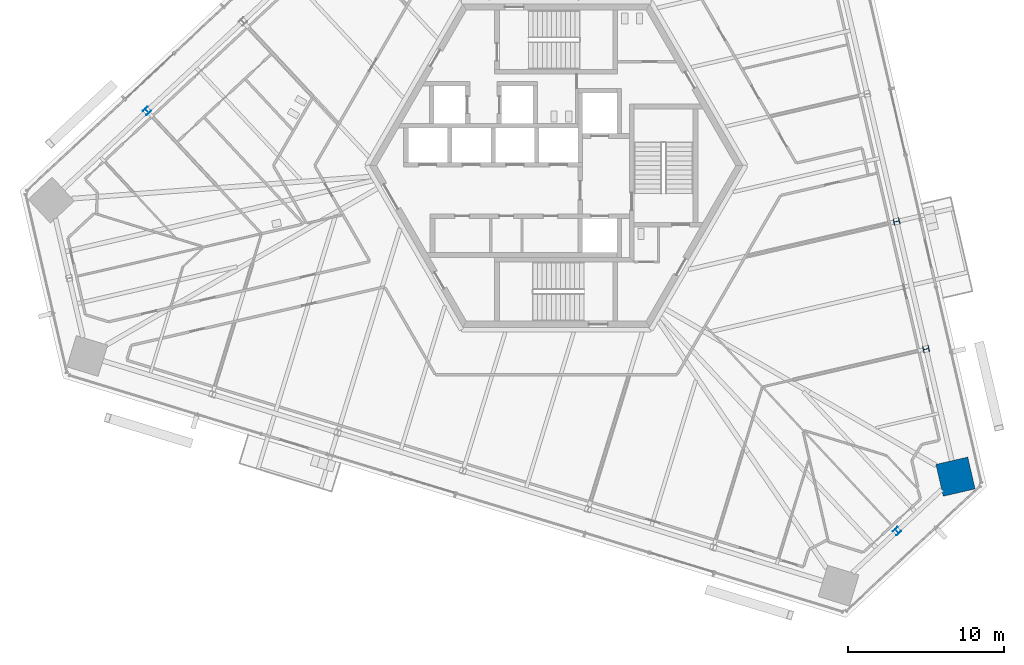
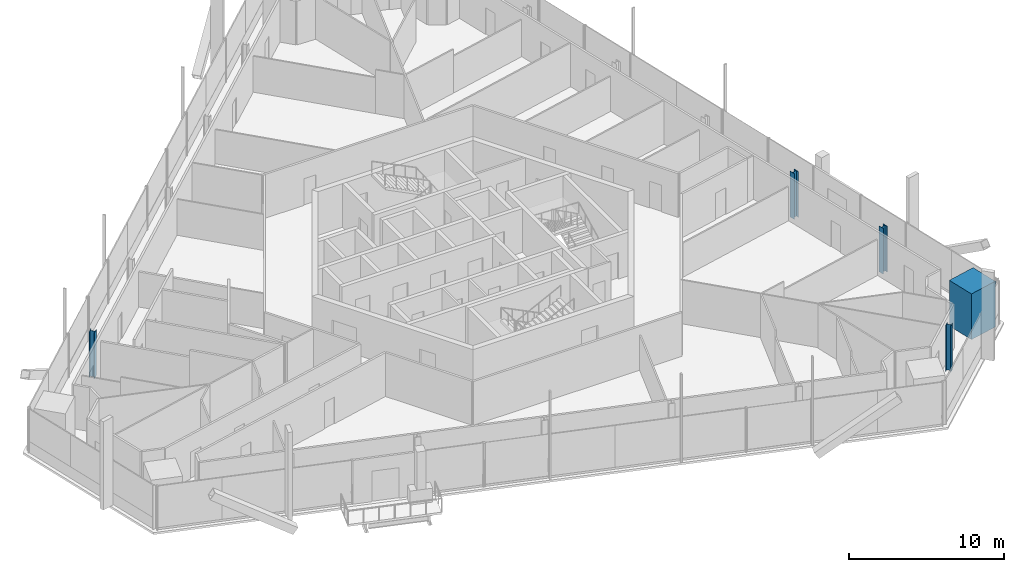
# One storey, part 2 of 24: 5 columns.
"""IFC4 building model written with IfcOpenShell, lengths in metres."""

from ifc_helpers import new_model, si_unit, direction, frame, origin, origin_2d, place, context, subcontext, project, spatial, rectangle, i_section, extrude, source, transform, mapped, material, material_profile, profile_set, type_object, element, save


model = new_model("IFC4")

# Units and contexts
model_context = context("Model", 3, precision=1e-05, world=origin(), true_north=direction((0.0, 1.0)))
body_context = subcontext(model_context, "Body", "Model", "MODEL_VIEW")
ifc_project = project(units=[si_unit("LENGTHUNIT", "METRE"), si_unit("AREAUNIT", "SQUARE_METRE"), si_unit("VOLUMEUNIT", "CUBIC_METRE"), si_unit("PLANEANGLEUNIT", "RADIAN"), si_unit("MASSUNIT", "GRAM", prefix="KILO")], contexts=[model_context])

# Site, building, storey
site_placement = place(None, origin())
site = spatial("IfcSite", under=ifc_project, at=site_placement, CompositionType="ELEMENT")
building_placement = place(site_placement, origin())
building = spatial("IfcBuilding", under=site, at=building_placement, Name="Triune Harvest Tower", CompositionType="ELEMENT")
storey_placement = place(building_placement, frame((0.0, 0.0, 127.10009765625)))
storey = spatial("IfcBuildingStorey", under=building, at=storey_placement, Name="L32", CompositionType="ELEMENT", Elevation=127.10009765625)

# Columns
ifc_material_1 = material(Name="Concrete 70 MPa", Category="concrete")
ifc_material_profile_1 = material_profile(ifc_material_1, rectangle(XDim=2.10009765625, YDim=2.10009765625, at=origin_2d()), Name="Composite 2100x2100")
ifc_profile_set_1 = profile_set([ifc_material_profile_1], Name="Concrete 70 MPa")
column_type_1 = type_object("IfcColumnType", Name="MC-3 Mega column Composite 2100x2100", PredefinedType="COLUMN", material=ifc_profile_set_1)
shared_shape_1 = source(origin(), body_context, "Body", "SweptSolid", [
    extrude(rectangle(XDim=2.10009765625, YDim=2.10009765625, at=origin_2d()), origin(), (0.0, 0.0, 1.0), 3.599853515625),
])
column_placement = place(storey_placement, frame((25.65869140625, -19.983642578125, 0.0), z_axis=(0.0, 0.0, 1.0), x_axis=(-0.22495275494, 0.97436967217, 0.0)))
element("IfcColumn", 1, at=column_placement, inside=storey, type_object=column_type_1, Name="col/L32/M0", PredefinedType="COLUMN", context=body_context, shape_type="MappedRepresentation", body=[
    mapped(shared_shape_1, transform((0.0, 0.0, 0.0), scale=1.0)),
])
ifc_material_2 = material(Name="Steel ASTM A992 Gr 50", Category="steel")
ifc_material_profile_2 = material_profile(ifc_material_2, i_section(OverallWidth=0.396240234375, OverallDepth=0.381103515625, WebThickness=0.01904296875, FlangeThickness=0.0302734375, at=origin_2d()), Name="W14x159")
ifc_profile_set_2 = profile_set([ifc_material_profile_2], Name="Steel ASTM A992 Gr 50")
column_type_2 = type_object("IfcColumnType", Name="PC-3 Perimeter column W14x159", PredefinedType="COLUMN", material=ifc_profile_set_2)
shared_shape_2 = source(origin(), body_context, "Body", "SweptSolid", [
    extrude(i_section(OverallWidth=0.396240234375, OverallDepth=0.381103515625, WebThickness=0.01904296875, FlangeThickness=0.0302734375, at=origin_2d()), origin(), (0.0, 0.0, 1.0), 3.599853515625),
])
for number, where, z_axis, x_axis, name in (
    (2, (23.765869140625, -11.784912109375, 0.0), (0.0, 0.0, 1.0), (-0.22495275494, 0.97436967217, 0.0), "col/L32/P1"),
    (3, (21.872802734375, -3.5859375, 0.0), (0.0, 0.0, 1.0), (-0.22495275494, 0.97436967217, 0.0), "col/L32/P2"),
    (4, (-26.29248046875, 3.51953125, 0.0), (0.0, 0.0, 1.0), (-0.73135489193, -0.681997083608, 0.0), "col/L32/P13"),
    (5, (21.90185546875, -23.48681640625, 0.0), (0.0, 0.0, 1.0), (0.731353701619, 0.681998360062, 0.0), "col/L32/P23"),
):
    element("IfcColumn", number, at=place(storey_placement, frame(where, z_axis=z_axis, x_axis=x_axis)), inside=storey, type_object=column_type_2, Name=name, PredefinedType="COLUMN", context=body_context, shape_type="MappedRepresentation", body=[
        mapped(shared_shape_2, transform((0.0, 0.0, 0.0), scale=1.0)),
    ])

save(model, "model.ifc")
